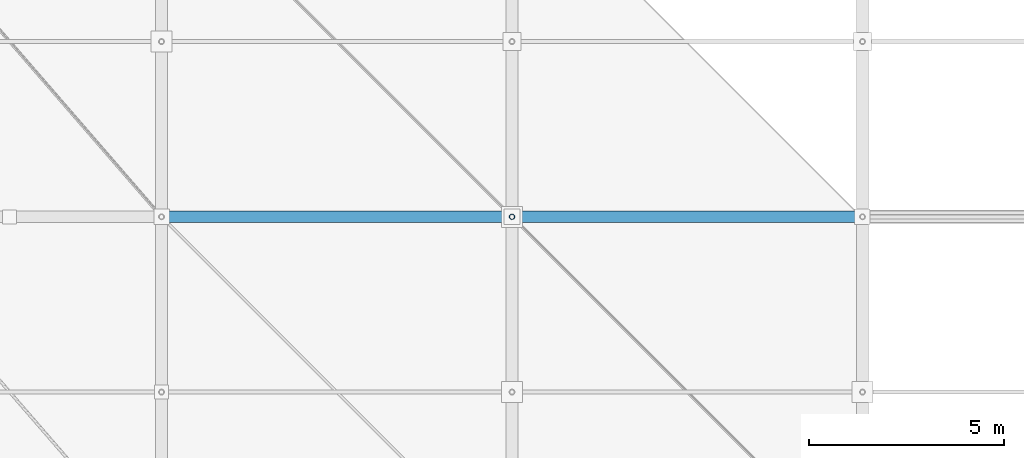
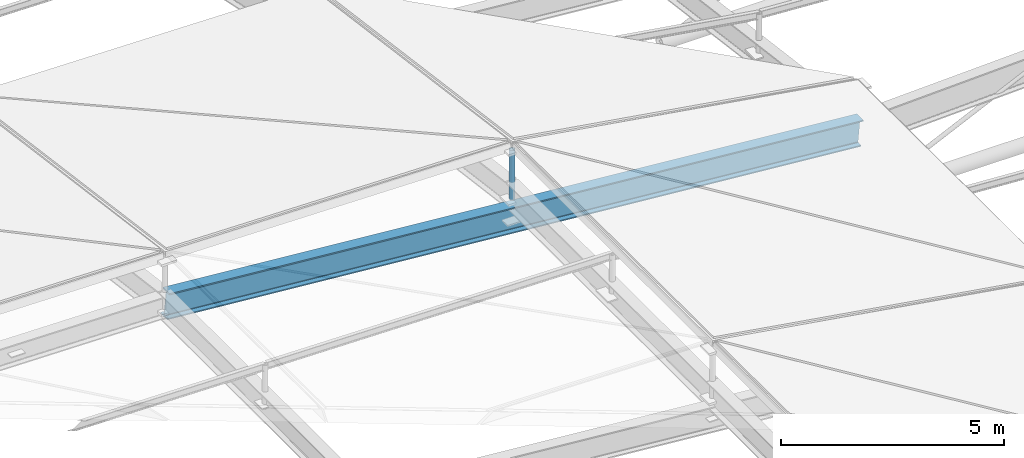
# One storey, part 27 of 80: 1 beam, 1 member.
"""IFC4 building model written with IfcOpenShell, lengths in metres."""

from ifc_helpers import new_model, si_unit, direction, frame, origin, origin_2d, place, context, subcontext, project, spatial, hollow_circle, i_section, extrude, material, material_profile, profile_set, type_object, element, save


model = new_model("IFC4")

# Units and contexts
model_context = context("Model", 3, precision=1e-05, world=origin(), true_north=direction((0.0, 1.0)))
body_context = subcontext(model_context, "Body", "Model", "MODEL_VIEW")
ifc_project = project(units=[si_unit("LENGTHUNIT", "METRE"), si_unit("AREAUNIT", "SQUARE_METRE"), si_unit("VOLUMEUNIT", "CUBIC_METRE"), si_unit("PLANEANGLEUNIT", "RADIAN"), si_unit("MASSUNIT", "GRAM", prefix="KILO")], contexts=[model_context])

# Site, building, storey
site_placement = place(None, origin())
site = spatial("IfcSite", under=ifc_project, at=site_placement, CompositionType="ELEMENT")
building_placement = place(site_placement, origin())
building = spatial("IfcBuilding", under=site, at=building_placement, Name="Barlavento Convention Centre", CompositionType="ELEMENT")
storey_placement = place(building_placement, frame((0.0, 0.0, 29.800048828125)))
storey = spatial("IfcBuildingStorey", under=building, at=storey_placement, Name="RF", CompositionType="ELEMENT", Elevation=29.800048828125)

# Beam
ifc_material_1 = material(Name="Steel S460", Category="steel")
ifc_material_profile_1 = material_profile(ifc_material_1, i_section(OverallWidth=0.300048828125, OverallDepth=0.699951171875, WebThickness=0.01708984375, FlangeThickness=0.031982421875, FilletRadius=0.027099609375, at=origin_2d()), Name="HEB 700")
ifc_profile_set_1 = profile_set([ifc_material_profile_1], Name="Steel S460")
beam_type = type_object("IfcBeamType", Name="STR-BM-TRUSS-TOP-HEB700", PredefinedType="BEAM", material=ifc_profile_set_1)
beam_placement = place(storey_placement, frame((0.0048828125, 27.0, 0.286865234375), z_axis=(0.996341025885, 0.0, -0.085466719474), x_axis=(0.0, 1.0, 0.0)))
element("IfcBeam", 1, at=beam_placement, inside=storey, type_object=beam_type, Name="Congress roof truss space frame chord", PredefinedType="BEAM", context=body_context, shape_type="SweptSolid", body=[
    extrude(i_section(OverallWidth=0.300048828125, OverallDepth=0.699951171875, WebThickness=0.01708984375, FlangeThickness=0.031982421875, FilletRadius=0.027099609375, at=origin_2d()), origin(), (0.0, 0.0, 1.0), 18.056396484375),
])

# Member
ifc_material_2 = material(Name="Steel S355", Category="steel")
ifc_material_profile_2 = material_profile(ifc_material_2, hollow_circle(Radius=0.06982421875, WallThickness=0.008056640625, at=origin_2d()), Name="CHS 139.7x8.0")
ifc_profile_set_2 = profile_set([ifc_material_profile_2], Name="Steel S355")
member_type = type_object("IfcMemberType", Name="STR-MEM-DIAG-CHS139", PredefinedType="BRACE", material=ifc_profile_set_2)
member_placement = place(storey_placement, frame((9.0, 27.0, 0.00634765625), z_axis=(0.0, 0.0, 1.0), x_axis=(1.0, 0.0, 0.0)))
element("IfcMember", 2, at=member_placement, inside=storey, type_object=member_type, Name="Congress space frame vertical node post TD04", PredefinedType="BRACE", context=body_context, shape_type="SweptSolid", body=[
    extrude(hollow_circle(Radius=0.06982421875, WallThickness=0.008056640625, at=origin_2d()), origin(), (0.0, 0.0, 1.0), 1.369873046875),
])

save(model, "model.ifc")
